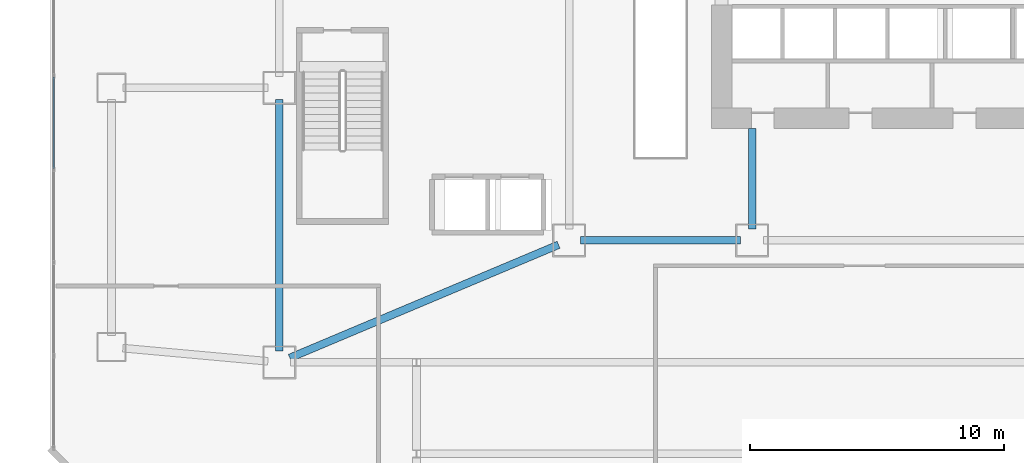
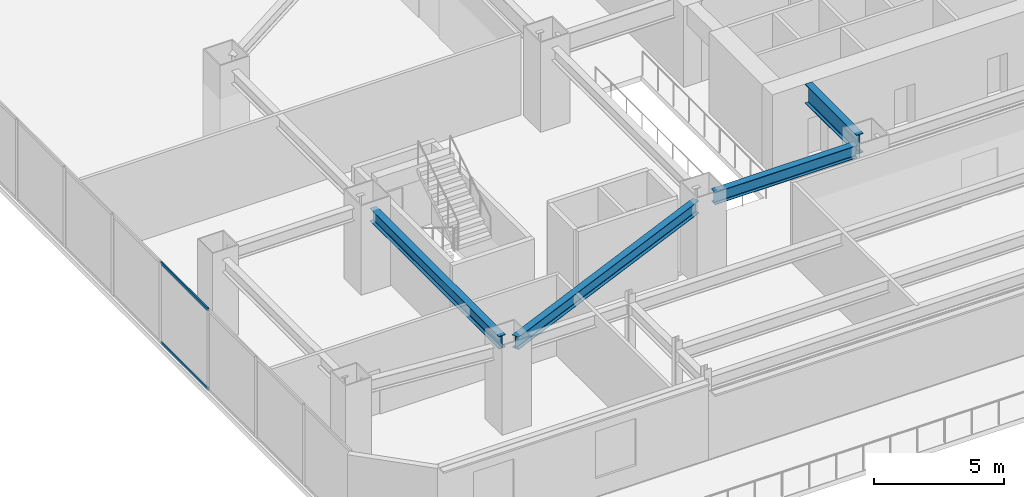
# One storey, part 6 of 32: 4 beams, 2 members, 1 element without a shape of its own.
"""IFC4 building model written with IfcOpenShell, lengths in metres."""

from ifc_helpers import new_model, si_unit, direction, frame, origin, origin_2d, place, context, subcontext, project, spatial, hollow_rectangle, i_section, extrude, material, layer, layer_set, material_profile, profile_set, type_object, element, aggregate, save


model = new_model("IFC4")

# Units and contexts
model_context = context("Model", 3, precision=1e-05, world=origin(), true_north=direction((0.0, 1.0)))
body_context = subcontext(model_context, "Body", "Model", "MODEL_VIEW")
ifc_project = project(units=[si_unit("LENGTHUNIT", "METRE"), si_unit("AREAUNIT", "SQUARE_METRE"), si_unit("VOLUMEUNIT", "CUBIC_METRE"), si_unit("PLANEANGLEUNIT", "RADIAN"), si_unit("MASSUNIT", "GRAM", prefix="KILO")], contexts=[model_context])

# Site, building, storey
site_placement = place(None, origin())
site = spatial("IfcSite", under=ifc_project, at=site_placement, CompositionType="ELEMENT")
building_placement = place(site_placement, origin())
building = spatial("IfcBuilding", under=site, at=building_placement, Name="Haolan Belvedere Tower", CompositionType="ELEMENT")
storey_placement = place(building_placement, frame((0.0, 0.0, 15.60009765625)))
storey = spatial("IfcBuildingStorey", under=building, at=storey_placement, Name="L03", CompositionType="ELEMENT", Elevation=15.60009765625)

# Beams
ifc_material_1 = material(Name="Steel Q355B", Category="steel")
ifc_material_profile_1 = material_profile(ifc_material_1, i_section(OverallWidth=0.300048828125, OverallDepth=0.587890625, WebThickness=0.011962890625, FlangeThickness=0.02001953125, FilletRadius=0.028076171875, at=origin_2d()), Name="Steel Q355B")
ifc_profile_set_1 = profile_set([ifc_material_profile_1], Name="Steel Q355B")
beam_type_1 = type_object("IfcBeamType", Name="BM-HM588x300x12x20", PredefinedType="SPANDREL", material=ifc_profile_set_1)
beam_1_placement = place(storey_placement, frame((24.449951171875, 21.60009765625, 3.48583984375), z_axis=(1.0, 0.0, 0.0), x_axis=(0.0, 1.0, 0.0)))
element("IfcBeam", 1, at=beam_1_placement, inside=storey, type_object=beam_type_1, Name="L03 spandrel girder MC-T3-SW-MC-T3-S1", PredefinedType="SPANDREL", context=body_context, shape_type="SweptSolid", body=[
    extrude(i_section(OverallWidth=0.300048828125, OverallDepth=0.587890625, WebThickness=0.011962890625, FlangeThickness=0.02001953125, FilletRadius=0.028076171875, at=origin_2d()), origin(), (0.0, 0.0, 1.0), 6.300048828125),
])
beam_2_placement = place(storey_placement, frame((12.60009765625, 17.25, 3.48583984375), z_axis=(0.0, 1.0, 0.0), x_axis=(-1.0, 0.0, 0.0)))
element("IfcBeam", 2, at=beam_2_placement, inside=storey, type_object=beam_type_1, Name="L03 spandrel girder MC-T2-SW-MC-T2-MW", PredefinedType="SPANDREL", context=body_context, shape_type="SweptSolid", body=[
    extrude(i_section(OverallWidth=0.300048828125, OverallDepth=0.587890625, WebThickness=0.011962890625, FlangeThickness=0.02001953125, FilletRadius=0.028076171875, at=origin_2d()), origin(), (0.0, 0.0, 1.0), 9.89990234375),
])
beam_3_placement = place(storey_placement, frame((13.0146484375, 16.974609375, 3.48583984375), z_axis=(0.921637779233, 0.388051290284, 0.0), x_axis=(-0.388051290284, 0.921637779233, 0.0)))
element("IfcBeam", 3, at=beam_3_placement, inside=storey, type_object=beam_type_1, Name="L03 spandrel girder MC-T2-SW-MC-T3-SW", PredefinedType="SPANDREL", context=body_context, shape_type="SweptSolid", body=[
    extrude(i_section(OverallWidth=0.300048828125, OverallDepth=0.587890625, WebThickness=0.011962890625, FlangeThickness=0.02001953125, FilletRadius=0.028076171875, at=origin_2d()), origin(), (0.0, 0.0, 1.0), 11.46923828125),
])
ifc_material_profile_2 = material_profile(ifc_material_1, i_section(OverallWidth=0.300048828125, OverallDepth=0.89990234375, WebThickness=0.01611328125, FlangeThickness=0.028076171875, FilletRadius=0.028076171875, at=origin_2d()), Name="Steel Q355B")
ifc_profile_set_2 = profile_set([ifc_material_profile_2], Name="Steel Q355B")
beam_type_2 = type_object("IfcBeamType", Name="BM-HN900x300x16x28", PredefinedType="BEAM", material=ifc_profile_set_2)
beam_4_placement = place(storey_placement, frame((31.199951171875, 22.050048828125, 3.329833984375), z_axis=(0.0, 1.0, 0.0), x_axis=(-1.0, 0.0, 0.0)))
element("IfcBeam", 4, at=beam_4_placement, inside=storey, type_object=beam_type_2, Name="L03 core tie beam from MC-T3-S1", PredefinedType="BEAM", context=body_context, shape_type="SweptSolid", body=[
    extrude(i_section(OverallWidth=0.300048828125, OverallDepth=0.89990234375, WebThickness=0.01611328125, FlangeThickness=0.028076171875, FilletRadius=0.028076171875, at=origin_2d()), origin(), (0.0, 0.0, 1.0), 3.949951171875),
])

# Curtain wall, members
ifc_material_2 = material(Name="Anodised champagne-silver aluminium 6063-T6 and Low-E glass", Category="aluminium")
ifc_layer = layer(ifc_material_2, 0.179931640625, Name="Anodised champagne-silver aluminium 6063-T6 and Low-E glass")
ifc_layer_set = layer_set([ifc_layer], Name="Anodised champagne-silver aluminium 6063-T6 and Low-E glass")
curtain_wall_type = type_object("IfcCurtainWallType", Name="CW-SYS-01", PredefinedType="NOTDEFINED", material=ifc_layer_set)
curtain_wall_placement = place(storey_placement, origin())
curtain_wall = element("IfcCurtainWall", 5, at=curtain_wall_placement, inside=storey, type_object=curtain_wall_type, Name="L03 CW-SYS-01 ribbon curtain wall 4.1", PredefinedType="NOTDEFINED")
ifc_material_3 = material(Name="Anodised aluminium 6063-T6", Category="aluminium")
ifc_material_profile_3 = material_profile(ifc_material_3, hollow_rectangle(XDim=0.06005859375, YDim=0.139892578125, WallThickness=0.00390625, at=origin_2d()), Name="Anodised aluminium 6063-T6")
ifc_profile_set_3 = profile_set([ifc_material_profile_3], Name="Anodised aluminium 6063-T6")
member_type = type_object("IfcMemberType", Name="CW-SYS-01-TRN", PredefinedType="USERDEFINED", material=ifc_profile_set_3)
member_1_placement = place(storey_placement, frame((3.72998046875, 28.029052734375, 0.02978515625), z_axis=(0.0, -1.0, 0.0), x_axis=(1.0, 0.0, 0.0)))
member_1 = element("IfcMember", 6, at=member_1_placement, type_object=member_type, Name="CW-01 transom 8.1", ObjectType="TRANSOM", PredefinedType="USERDEFINED", context=body_context, shape_type="SweptSolid", body=[
    extrude(hollow_rectangle(XDim=0.06005859375, YDim=0.139892578125, WallThickness=0.00390625, at=origin_2d()), origin(), (0.0, 0.0, 1.0), 3.60205078125),
])
member_2_placement = place(storey_placement, frame((3.72998046875, 28.029052734375, 3.75), z_axis=(0.0, -1.0, 0.0), x_axis=(1.0, 0.0, 0.0)))
member_2 = element("IfcMember", 7, at=member_2_placement, type_object=member_type, Name="CW-01 transom 8.2", ObjectType="TRANSOM", PredefinedType="USERDEFINED", context=body_context, shape_type="SweptSolid", body=[
    extrude(hollow_rectangle(XDim=0.06005859375, YDim=0.139892578125, WallThickness=0.00390625, at=origin_2d()), origin(), (0.0, 0.0, 1.0), 3.60205078125),
])
aggregate(curtain_wall, [member_1, member_2])

save(model, "model.ifc")
